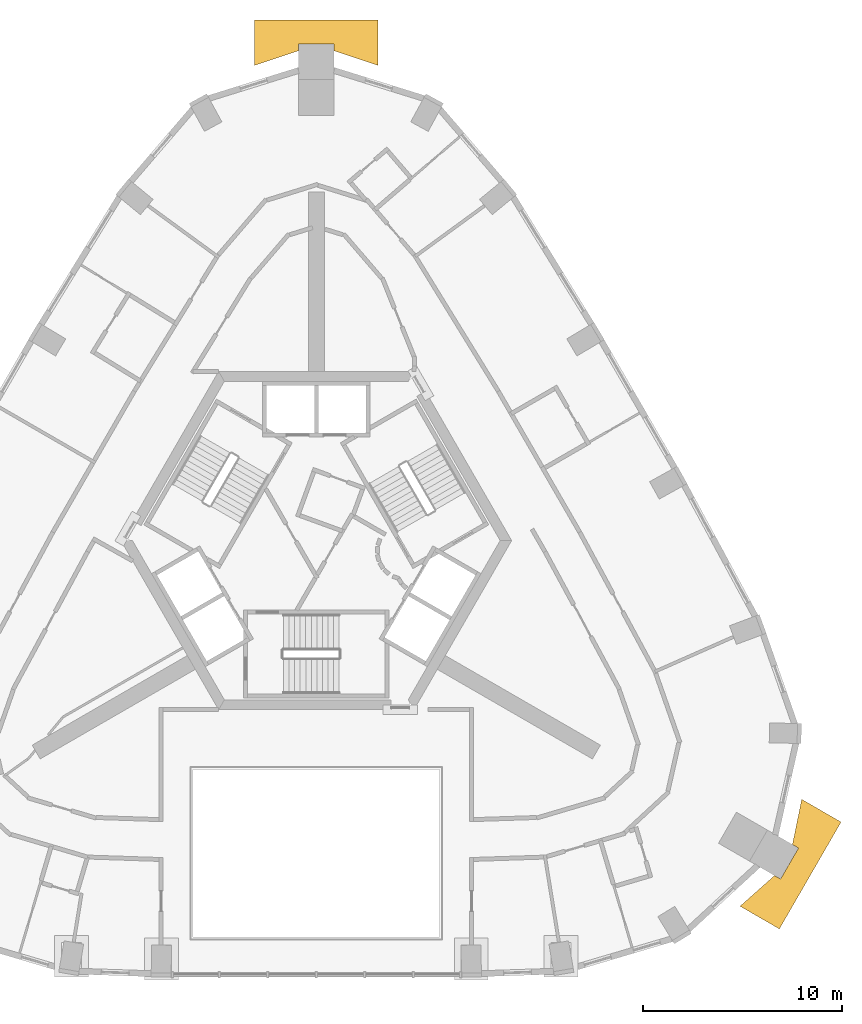
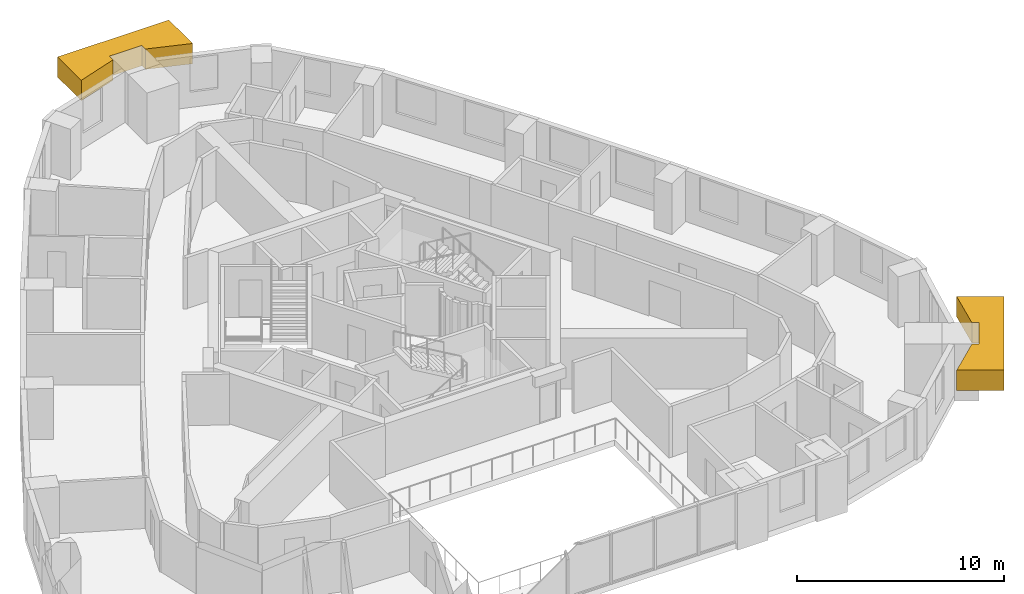
# One storey, part 10 of 10: 2 coverings.
"""IFC4 building model written with IfcOpenShell, lengths in metres."""

from ifc_helpers import new_model, si_unit, direction, frame, origin, place, context, subcontext, project, spatial, polyline, outline, extrude, material, type_object, element, save


model = new_model("IFC4")

# Units and contexts
model_context = context("Model", 3, precision=1e-05, world=origin(), true_north=direction((0.0, 1.0)))
body_context = subcontext(model_context, "Body", "Model", "MODEL_VIEW")
ifc_project = project(units=[si_unit("LENGTHUNIT", "METRE"), si_unit("AREAUNIT", "SQUARE_METRE"), si_unit("VOLUMEUNIT", "CUBIC_METRE"), si_unit("PLANEANGLEUNIT", "RADIAN"), si_unit("MASSUNIT", "GRAM", prefix="KILO")], contexts=[model_context])

# Site, building, storey
site_placement = place(None, origin())
site = spatial("IfcSite", under=ifc_project, at=site_placement, CompositionType="ELEMENT")
building_placement = place(site_placement, origin())
building = spatial("IfcBuilding", under=site, at=building_placement, Name="Entoto Arch Interchange Tower", CompositionType="ELEMENT")
storey_placement = place(building_placement, frame((0.0, 0.0, 322.39990234375)))
storey = spatial("IfcBuildingStorey", under=building, at=storey_placement, Name="L76", CompositionType="ELEMENT", Elevation=322.39990234375)

# Coverings
ifc_material = material(Name="Board-marked precast concrete C50/60", Category="concrete")
covering_type = type_object("IfcCoveringType", Name="PRECAST FRAME COURSE", PredefinedType="CLADDING", material=ifc_material)
covering_1_placement = place(storey_placement, frame((0.0, 0.0, 1.800048828125)))
element("IfcCovering", 1, at=covering_1_placement, inside=storey, type_object=covering_type, Name="Corner pilaster head SE L75-L76", PredefinedType="CLADDING", context=body_context, shape_type="SweptSolid", body=[
    extrude(outline(polyline([(26.364990234375, -11.64208984375), (23.264892578125, -17.011962890625), (21.2890625, -15.87109375), (23.02197265625, -14.3310546875), (23.324951171875, -14.506103515625), (24.22509765625, -12.947998046875), (23.922119140625, -12.77197265625), (24.388916015625, -10.5009765625), (26.364990234375, -11.64208984375)])), origin(), (0.0, 0.0, 1.0), 1.199951171875),
])
covering_2_placement = place(storey_placement, frame((0.0, 0.0, 1.800048828125)))
element("IfcCovering", 2, at=covering_2_placement, inside=storey, type_object=covering_type, Name="Corner pilaster head N L75-L76", PredefinedType="CLADDING", context=body_context, shape_type="SweptSolid", body=[
    extrude(outline(polyline([(-3.10009765625, 28.653076171875), (3.10009765625, 28.653076171875), (3.10009765625, 26.3720703125), (0.89990234375, 27.10302734375), (0.89990234375, 27.452880859375), (-0.89990234375, 27.452880859375), (-0.89990234375, 27.10302734375), (-3.10009765625, 26.3720703125), (-3.10009765625, 28.653076171875)])), origin(), (0.0, 0.0, 1.0), 1.199951171875),
])

save(model, "model.ifc")
